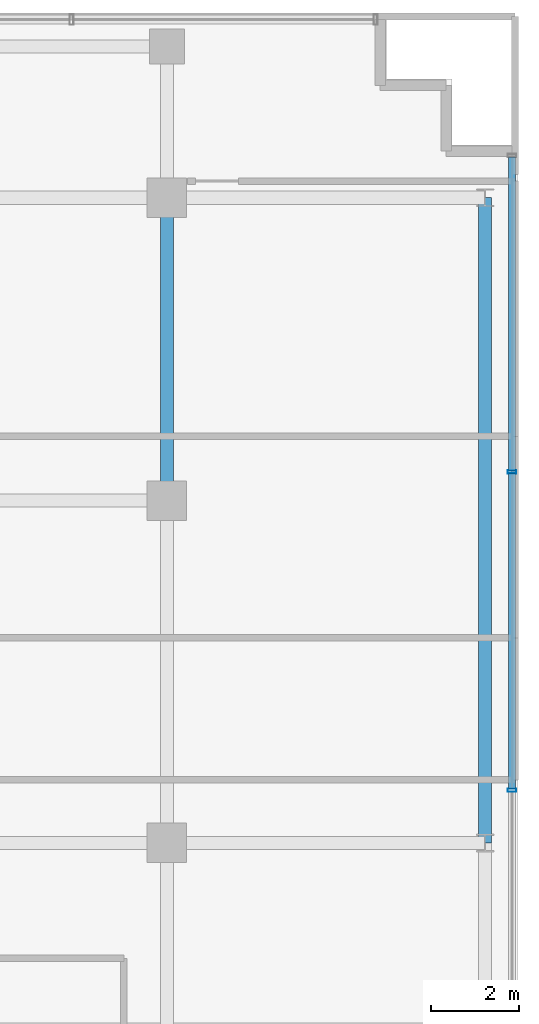
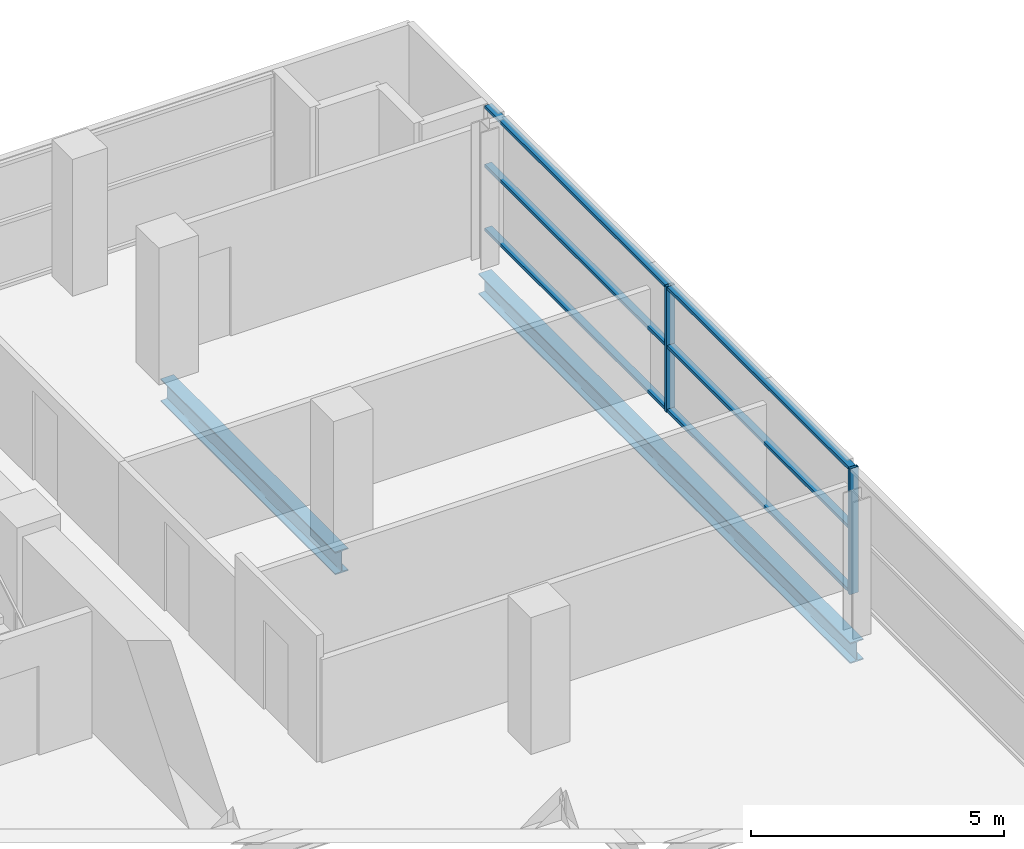
# One storey, part 9 of 22: 8 members, 2 beams, 1 element without a shape of its own.
"""IFC4 building model written with IfcOpenShell, lengths in metres."""

import ifcopenshell
import ifcopenshell.guid

model = None  # the IFC model being written
_history = None  # IfcOwnerHistory: only IFC2X3 demands one
_inside = {}  # id of a spatial element -> (the spatial element, [elements in it])
_under = {}  # id of a project, library or spatial element -> (it, [spatial elements below it])
_declared = {}  # id of a project -> (the project, [libraries it declares])
_typed = {}  # id of a type object -> (the type object, [elements of that type])
_made_of = {}  # id of a material, layer set ... -> (it, [elements and type objects made of it])


def new_model(schema):
    """Start an empty IFC model of exactly this schema.

    Asked for "IFC4X3", IfcOpenShell would pick the latest addendum, in which some entities
    have other attributes; the version numbers below select the first issue.
    IFC2X3 requires an IfcOwnerHistory on every rooted entity: one is made here for all.
    """
    global model, _history
    if schema == "IFC4X3":
        model = ifcopenshell.file(schema_version=(4, 3, 0, 0))
    else:
        model = ifcopenshell.file(schema=schema)
    _inside.clear()
    _under.clear()
    _declared.clear()
    _typed.clear()
    _made_of.clear()
    _history = None
    if model.schema == "IFC2X3":
        org = make("IfcOrganization", Name="unknown")
        user = make(
            "IfcPersonAndOrganization",
            ThePerson=make("IfcPerson", FamilyName="unknown"),
            TheOrganization=org,
        )
        app = make(
            "IfcApplication",
            ApplicationDeveloper=org,
            Version="unknown",
            ApplicationFullName="unknown",
            ApplicationIdentifier="unknown",
        )
        _history = make(
            "IfcOwnerHistory",
            OwningUser=user,
            OwningApplication=app,
            ChangeAction="ADDED",
            CreationDate=0,
        )
    return model


def make(cls, **values):
    """One entity of the class cls with the attributes given. An attribute that is None is left unset."""
    return model.create_entity(
        cls, **{name: value for name, value in values.items() if value is not None}
    )


def rooted(cls, **values):
    """An entity with a GlobalId (a new one), such as an element, a storey or a relation."""
    return make(cls, GlobalId=ifcopenshell.guid.new(), OwnerHistory=_history, **values)


def si_unit(unit_type, name, prefix=None):
    """IfcSIUnit, for example si_unit("LENGTHUNIT", "METRE", prefix="MILLI")."""
    return make("IfcSIUnit", UnitType=unit_type, Prefix=prefix, Name=name)


def assignment(units):
    """IfcUnitAssignment: the units of a project."""
    return None if units is None else make("IfcUnitAssignment", Units=units)


def point(xyz):
    """IfcCartesianPoint."""
    return None if xyz is None else make("IfcCartesianPoint", Coordinates=xyz)


def direction(xyz):
    """IfcDirection."""
    return None if xyz is None else make("IfcDirection", DirectionRatios=xyz)


def frame(location, z_axis=None, x_axis=None):
    """IfcAxis2Placement3D, a coordinate frame: its origin and axes. An axis left out is left unset."""
    return make(
        "IfcAxis2Placement3D",
        Location=point(location),
        Axis=direction(z_axis),
        RefDirection=direction(x_axis),
    )


def frame_2d(location, x_axis=None):
    """IfcAxis2Placement2D, a coordinate frame in the plane: its origin and x axis."""
    return make(
        "IfcAxis2Placement2D", Location=point(location), RefDirection=direction(x_axis)
    )


def origin():
    """The frame at (0, 0, 0) with its axes left unset."""
    return frame((0.0, 0.0, 0.0))


def origin_2d():
    """The frame at (0, 0) in the plane with its x axis left unset."""
    return frame_2d((0.0, 0.0))


def place(relative_to, where):
    """IfcLocalPlacement: puts the frame where relative to a parent placement (None: the world)."""
    return make(
        "IfcLocalPlacement", PlacementRelTo=relative_to, RelativePlacement=where
    )


def context(
    kind, dimensions, precision=None, world=None, true_north=None, identifier=None
):
    """IfcGeometricRepresentationContext, for example the 3D "Model" context."""
    return make(
        "IfcGeometricRepresentationContext",
        ContextIdentifier=identifier,
        ContextType=kind,
        CoordinateSpaceDimension=dimensions,
        Precision=precision,
        WorldCoordinateSystem=world,
        TrueNorth=true_north,
    )


def subcontext(parent, identifier, kind, view, scale=None):
    """IfcGeometricRepresentationSubContext, for example "Body" below "Model"."""
    return make(
        "IfcGeometricRepresentationSubContext",
        ContextIdentifier=identifier,
        ContextType=kind,
        ParentContext=parent,
        TargetScale=scale,
        TargetView=view,
    )


def project(units=None, contexts=None):
    """IfcProject with its units and contexts."""
    return rooted(
        "IfcProject",
        Name="project",
        RepresentationContexts=contexts,
        UnitsInContext=assignment(units),
    )


def spatial(cls, under=None, at=None, **own):
    """A site, building, storey or space (cls), placed at a placement, below another one or the project."""
    s = rooted(cls, ObjectPlacement=at, **own)
    if under is not None:
        _under.setdefault(under.id(), (under, []))[1].append(s)
    return s


def profile(cls, at=None, kind="AREA", **sizes):
    """A parametric profile (cls). Its sizes go by their IFC names, for example OverallWidth=200.0."""
    return make(cls, ProfileType=kind, Position=at, **sizes)


def hollow_rectangle(**sizes):
    """IfcRectangleHollowProfileDef."""
    return profile("IfcRectangleHollowProfileDef", **sizes)


def i_section(**sizes):
    """IfcIShapeProfileDef."""
    return profile("IfcIShapeProfileDef", **sizes)


def extrude(swept, where, along, depth):
    """IfcExtrudedAreaSolid: the profile swept, set in the frame where, extruded along a direction by depth."""
    return make(
        "IfcExtrudedAreaSolid",
        SweptArea=swept,
        Position=where,
        ExtrudedDirection=direction(along),
        Depth=depth,
    )


def shape(context_of_items, identifier, shape_type, items):
    """IfcShapeRepresentation: the items that make up one representation, for example the "Body"."""
    return make(
        "IfcShapeRepresentation",
        ContextOfItems=context_of_items,
        RepresentationIdentifier=identifier,
        RepresentationType=shape_type,
        Items=items,
    )


def source(mapping_origin, context_of_items, identifier, shape_type, items):
    """IfcRepresentationMap: a shape defined once, which mapped items show again and again."""
    return make(
        "IfcRepresentationMap",
        MappingOrigin=mapping_origin,
        MappedRepresentation=shape(context_of_items, identifier, shape_type, items),
    )


def transform(
    local_origin,
    x_axis=None,
    y_axis=None,
    z_axis=None,
    scale=None,
    scale2=None,
    scale3=None,
    uniform=True,
):
    """IfcCartesianTransformationOperator3D, or its non-uniform kind. x_axis, y_axis, z_axis: its Axis1, 2, 3."""
    if uniform:
        return make(
            "IfcCartesianTransformationOperator3D",
            Axis1=direction(x_axis),
            Axis2=direction(y_axis),
            LocalOrigin=point(local_origin),
            Scale=scale,
            Axis3=direction(z_axis),
        )
    return make(
        "IfcCartesianTransformationOperator3DnonUniform",
        Axis1=direction(x_axis),
        Axis2=direction(y_axis),
        LocalOrigin=point(local_origin),
        Scale=scale,
        Axis3=direction(z_axis),
        Scale2=scale2,
        Scale3=scale3,
    )


def mapped(mapping_source, mapping_target):
    """IfcMappedItem: shows the shape of a source again, moved by a transform."""
    return make(
        "IfcMappedItem", MappingSource=mapping_source, MappingTarget=mapping_target
    )


def material(Name=None, Category=None):
    """IfcMaterial."""
    return make("IfcMaterial", Name=Name, Category=Category)


def layer(
    of_material, thickness, ventilated=None, Name=None, Category=None, Priority=None
):
    """IfcMaterialLayer: one layer of a wall or slab, of a material (None: an air gap)."""
    return make(
        "IfcMaterialLayer",
        Material=of_material,
        LayerThickness=thickness,
        IsVentilated=ventilated,
        Name=Name,
        Category=Category,
        Priority=Priority,
    )


def layer_set(layers, Name=None):
    """IfcMaterialLayerSet."""
    return make("IfcMaterialLayerSet", MaterialLayers=layers, LayerSetName=Name)


def material_profile(
    of_material, cross_section, Name=None, Category=None, Priority=None
):
    """IfcMaterialProfile: a cross section and its material."""
    return make(
        "IfcMaterialProfile",
        Name=Name,
        Material=of_material,
        Profile=cross_section,
        Priority=Priority,
        Category=Category,
    )


def profile_set(profiles, Name=None, composite=None):
    """IfcMaterialProfileSet."""
    return make(
        "IfcMaterialProfileSet",
        Name=Name,
        MaterialProfiles=profiles,
        CompositeProfile=composite,
    )


def made_of(thing, what):
    """Note that an element or type object is made of a material, layer set ...; save() writes the relation."""
    if what is not None:
        _made_of.setdefault(what.id(), (what, []))[1].append(thing)
    return thing


def type_object(cls, material=None, **own):
    """A type object (cls), such as IfcWallType, which elements share."""
    return made_of(rooted(cls, **own), material)


def element(
    cls,
    number,
    at=None,
    inside=None,
    cuts=None,
    type_object=None,
    material=None,
    context=None,
    identifier="Body",
    shape_type=None,
    held_by="IfcProductDefinitionShape",
    body=None,
    shapes=None,
    **own,
):
    """One element of the class cls, such as IfcWall. Its Tag is "e" and its number.

    at: its placement. inside: the storey or other place that contains it. cuts: it is an
    opening in that element (IfcRelVoidsElement). A single representation is given by context,
    identifier, shape_type and body (its items); several are given by shapes. held_by: the class
    of the entity that holds the representations. save() writes the other relations.
    """
    e = rooted(cls, Tag="e%d" % number, ObjectPlacement=at, **own)
    if body is not None:
        shapes = [shape(context, identifier, shape_type, body)]
    if shapes is not None:
        e.Representation = make(held_by, Representations=shapes)
    if inside is not None:
        _inside.setdefault(inside.id(), (inside, []))[1].append(e)
    if cuts is not None:
        rooted(
            "IfcRelVoidsElement", RelatingBuildingElement=cuts, RelatedOpeningElement=e
        )
    if type_object is not None:
        _typed.setdefault(type_object.id(), (type_object, []))[1].append(e)
    return made_of(e, material)


def aggregate(whole, parts):
    """IfcRelAggregates: a whole, such as a stair, and the parts it consists of."""
    return rooted("IfcRelAggregates", RelatingObject=whole, RelatedObjects=parts)


def save(model, path):
    """Write the relations noted so far, then the file.

    IfcRelAggregates (storeys below a building ...), IfcRelContainedInSpatialStructure (elements
    in a storey), IfcRelDefinesByType, IfcRelAssociatesMaterial and IfcRelDeclares: one each for
    every whole, place, type object, material and project.
    """
    for whole, parts in _under.values():
        aggregate(whole, parts)
    for where, things in _inside.values():
        rooted(
            "IfcRelContainedInSpatialStructure",
            RelatedElements=things,
            RelatingStructure=where,
        )
    for kind, things in _typed.values():
        rooted("IfcRelDefinesByType", RelatedObjects=things, RelatingType=kind)
    for what, things in _made_of.values():
        rooted("IfcRelAssociatesMaterial", RelatedObjects=things, RelatingMaterial=what)
    for by, libraries in _declared.values():
        rooted("IfcRelDeclares", RelatingContext=by, RelatedDefinitions=libraries)
    model.write(path)


model = new_model("IFC4")

# Units and contexts
model_context = context("Model", 3, precision=1e-05, world=origin(), true_north=direction((0.0, 1.0)))
body_context = subcontext(model_context, "Body", "Model", "MODEL_VIEW")
ifc_project = project(units=[si_unit("LENGTHUNIT", "METRE"), si_unit("AREAUNIT", "SQUARE_METRE"), si_unit("VOLUMEUNIT", "CUBIC_METRE"), si_unit("PLANEANGLEUNIT", "RADIAN"), si_unit("MASSUNIT", "GRAM", prefix="KILO")], contexts=[model_context])

# Site, building, storey
site_placement = place(None, origin())
site = spatial("IfcSite", under=ifc_project, at=site_placement, CompositionType="ELEMENT")
building_placement = place(site_placement, origin())
building = spatial("IfcBuilding", under=site, at=building_placement, Name="Zarnakvel Exchange Tower", CompositionType="ELEMENT")
storey_placement = place(building_placement, frame((0.0, 0.0, 136.300048828125)))
storey = spatial("IfcBuildingStorey", under=building, at=storey_placement, Name="L38", CompositionType="ELEMENT", Elevation=136.300048828125)

# Beams
ifc_material_1 = material(Name="Steel S355", Category="steel")
ifc_material_profile_1 = material_profile(ifc_material_1, i_section(OverallWidth=0.300048828125, OverallDepth=0.550048828125, WebThickness=0.014892578125, FlangeThickness=0.029052734375, FilletRadius=0.027099609375, at=origin_2d()))
ifc_profile_set_1 = profile_set([ifc_material_profile_1], Name="Steel S355")
beam_type_1 = type_object("IfcBeamType", Name="G-05", PredefinedType="BEAM", material=ifc_profile_set_1)
beam_1_placement = place(storey_placement, frame((21.60009765625, 6.60009765625, -0.5), z_axis=(0.0, 1.0, 0.0), x_axis=(-1.0, 0.0, 0.0)))
element("IfcBeam", 1, at=beam_1_placement, inside=storey, type_object=beam_type_1, Name="L38 Tower N-S Frame Beam", PredefinedType="BEAM", context=body_context, shape_type="SweptSolid", body=[
    extrude(i_section(OverallWidth=0.300048828125, OverallDepth=0.550048828125, WebThickness=0.014892578125, FlangeThickness=0.029052734375, FilletRadius=0.027099609375, at=origin_2d()), origin(), (0.0, 0.0, 1.0), 6.89990234375),
])
ifc_material_profile_2 = material_profile(ifc_material_1, i_section(OverallWidth=0.300048828125, OverallDepth=0.5, WebThickness=0.014404296875, FlangeThickness=0.028076171875, FilletRadius=0.027099609375, at=origin_2d()))
ifc_profile_set_2 = profile_set([ifc_material_profile_2], Name="Steel S355")
beam_type_2 = type_object("IfcBeamType", Name="SP-02", PredefinedType="SPANDREL", material=ifc_profile_set_2)
beam_2_placement = place(storey_placement, frame((28.85009765625, -1.199951171875, -0.47509765625), z_axis=(0.0, 1.0, 0.0), x_axis=(-1.0, 0.0, 0.0)))
element("IfcBeam", 2, at=beam_2_placement, inside=storey, type_object=beam_type_2, Name="L38 Tower N-S Frame Beam", PredefinedType="SPANDREL", context=body_context, shape_type="SweptSolid", body=[
    extrude(i_section(OverallWidth=0.300048828125, OverallDepth=0.5, WebThickness=0.014404296875, FlangeThickness=0.028076171875, FilletRadius=0.027099609375, at=origin_2d()), origin(), (0.0, 0.0, 1.0), 14.699951171875),
])

# Curtain wall, members
ifc_material_2 = material(Name="Architectural Bronze Anodised Aluminium", Category="aluminium")
ifc_layer = layer(ifc_material_2, 0.199951171875)
ifc_layer_set = layer_set([ifc_layer], Name="Architectural Bronze Anodised Aluminium")
curtain_wall_type = type_object("IfcCurtainWallType", Name="CW-04", PredefinedType="NOTDEFINED", material=ifc_layer_set)
curtain_wall_placement = place(storey_placement, origin())
curtain_wall = element("IfcCurtainWall", 3, at=curtain_wall_placement, inside=storey, type_object=curtain_wall_type, Name="L38 Curtain Wall CW-L38-E1 (CW-04)", PredefinedType="NOTDEFINED")
ifc_material_profile_3 = material_profile(ifc_material_2, hollow_rectangle(XDim=0.199951171875, YDim=0.074951171875, WallThickness=0.0048828125, at=origin_2d()))
ifc_profile_set_3 = profile_set([ifc_material_profile_3], Name="Architectural Bronze Anodised Aluminium")
member_type_1 = type_object("IfcMemberType", Name="CWM-04", PredefinedType="MULLION", material=ifc_profile_set_3)
shared_shape_1 = source(origin(), body_context, "Body", "SweptSolid", [
    extrude(hollow_rectangle(XDim=0.199951171875, YDim=0.074951171875, WallThickness=0.0048828125, at=origin_2d()), origin(), (0.0, 0.0, 1.0), 3.030029296875),
])
member_1_placement = place(storey_placement, frame((29.4599609375, 0.0, 0.0), z_axis=(0.0, 0.0, 1.0), x_axis=(-1.0, 0.0, 0.0)))
member_1 = element("IfcMember", 4, at=member_1_placement, type_object=member_type_1, Name="CW-04 mullion 3", PredefinedType="MULLION", context=body_context, shape_type="MappedRepresentation", body=[
    mapped(shared_shape_1, transform((0.0, 0.0, 0.0), x_axis=(1.0, 0.0, 0.0), y_axis=(0.0, 1.0, 0.0), z_axis=(0.0, 0.0, 1.0), scale=1.0)),
])
member_2_placement = place(storey_placement, frame((29.4599609375, 7.25, 0.0), z_axis=(0.0, 0.0, 1.0), x_axis=(-1.0, 0.0, 0.0)))
member_2 = element("IfcMember", 5, at=member_2_placement, type_object=member_type_1, Name="CW-04 mullion 4", PredefinedType="MULLION", context=body_context, shape_type="MappedRepresentation", body=[
    mapped(shared_shape_1, transform((0.0, 0.0, 0.0), x_axis=(1.0, 0.0, 0.0), y_axis=(0.0, 1.0, 0.0), z_axis=(0.0, 0.0, 1.0), scale=1.0)),
])
ifc_material_profile_4 = material_profile(ifc_material_2, hollow_rectangle(XDim=0.159912109375, YDim=0.074951171875, WallThickness=0.00390625, at=origin_2d()))
ifc_profile_set_4 = profile_set([ifc_material_profile_4], Name="Architectural Bronze Anodised Aluminium")
member_type_2 = type_object("IfcMemberType", Name="CWT-04", PredefinedType="USERDEFINED", material=ifc_profile_set_4)
shared_shape_2 = source(origin(), body_context, "Body", "SweptSolid", [
    extrude(hollow_rectangle(XDim=0.159912109375, YDim=0.074951171875, WallThickness=0.00390625, at=origin_2d()), origin(), (0.0, 0.0, 1.0), 7.137451171875),
])
member_3_placement = place(storey_placement, frame((29.4599609375, 7.28759765625, 0.037353515625), z_axis=(0.0, 1.0, 0.0), x_axis=(-1.0, 0.0, 0.0)))
member_3 = element("IfcMember", 6, at=member_3_placement, type_object=member_type_2, Name="CW-04 transom 4.1", ObjectType="TRANSOM", PredefinedType="USERDEFINED", context=body_context, shape_type="MappedRepresentation", body=[
    mapped(shared_shape_2, transform((0.0, 0.0, 0.0), x_axis=(1.0, 0.0, 0.0), y_axis=(0.0, 1.0, 0.0), z_axis=(0.0, 0.0, 1.0), scale=1.0)),
])
member_4_placement = place(storey_placement, frame((29.4599609375, 7.28759765625, 1.575439453125), z_axis=(0.0, 1.0, 0.0), x_axis=(-1.0, 0.0, 0.0)))
member_4 = element("IfcMember", 7, at=member_4_placement, type_object=member_type_2, Name="CW-04 transom 4.2", ObjectType="TRANSOM", PredefinedType="USERDEFINED", context=body_context, shape_type="MappedRepresentation", body=[
    mapped(shared_shape_2, transform((0.0, 0.0, 0.0), x_axis=(1.0, 0.0, 0.0), y_axis=(0.0, 1.0, 0.0), z_axis=(0.0, 0.0, 1.0), scale=1.0)),
])
member_5_placement = place(storey_placement, frame((29.4599609375, 7.28759765625, 2.992431640625), z_axis=(0.0, 1.0, 0.0), x_axis=(-1.0, 0.0, 0.0)))
member_5 = element("IfcMember", 8, at=member_5_placement, type_object=member_type_2, Name="CW-04 transom 4.3", ObjectType="TRANSOM", PredefinedType="USERDEFINED", context=body_context, shape_type="MappedRepresentation", body=[
    mapped(shared_shape_2, transform((0.0, 0.0, 0.0), x_axis=(1.0, 0.0, 0.0), y_axis=(0.0, 1.0, 0.0), z_axis=(0.0, 0.0, 1.0), scale=1.0)),
])
shared_shape_3 = source(origin(), body_context, "Body", "SweptSolid", [
    extrude(hollow_rectangle(XDim=0.159912109375, YDim=0.074951171875, WallThickness=0.00390625, at=origin_2d()), origin(), (0.0, 0.0, 1.0), 7.1748046875),
])
member_6_placement = place(storey_placement, frame((29.4599609375, 0.03759765625, 0.037353515625), z_axis=(0.0, 1.0, 0.0), x_axis=(-1.0, 0.0, 0.0)))
member_6 = element("IfcMember", 9, at=member_6_placement, type_object=member_type_2, Name="CW-04 transom 3.1", ObjectType="TRANSOM", PredefinedType="USERDEFINED", context=body_context, shape_type="MappedRepresentation", body=[
    mapped(shared_shape_3, transform((0.0, 0.0, 0.0), x_axis=(1.0, 0.0, 0.0), y_axis=(0.0, 1.0, 0.0), z_axis=(0.0, 0.0, 1.0), scale=1.0)),
])
member_7_placement = place(storey_placement, frame((29.4599609375, 0.03759765625, 1.575439453125), z_axis=(0.0, 1.0, 0.0), x_axis=(-1.0, 0.0, 0.0)))
member_7 = element("IfcMember", 10, at=member_7_placement, type_object=member_type_2, Name="CW-04 transom 3.2", ObjectType="TRANSOM", PredefinedType="USERDEFINED", context=body_context, shape_type="MappedRepresentation", body=[
    mapped(shared_shape_3, transform((0.0, 0.0, 0.0), x_axis=(1.0, 0.0, 0.0), y_axis=(0.0, 1.0, 0.0), z_axis=(0.0, 0.0, 1.0), scale=1.0)),
])
member_8_placement = place(storey_placement, frame((29.4599609375, 0.03759765625, 2.992431640625), z_axis=(0.0, 1.0, 0.0), x_axis=(-1.0, 0.0, 0.0)))
member_8 = element("IfcMember", 11, at=member_8_placement, type_object=member_type_2, Name="CW-04 transom 3.3", ObjectType="TRANSOM", PredefinedType="USERDEFINED", context=body_context, shape_type="MappedRepresentation", body=[
    mapped(shared_shape_3, transform((0.0, 0.0, 0.0), x_axis=(1.0, 0.0, 0.0), y_axis=(0.0, 1.0, 0.0), z_axis=(0.0, 0.0, 1.0), scale=1.0)),
])
aggregate(curtain_wall, [member_1, member_2, member_6, member_7, member_8, member_3, member_4, member_5])

save(model, "model.ifc")
